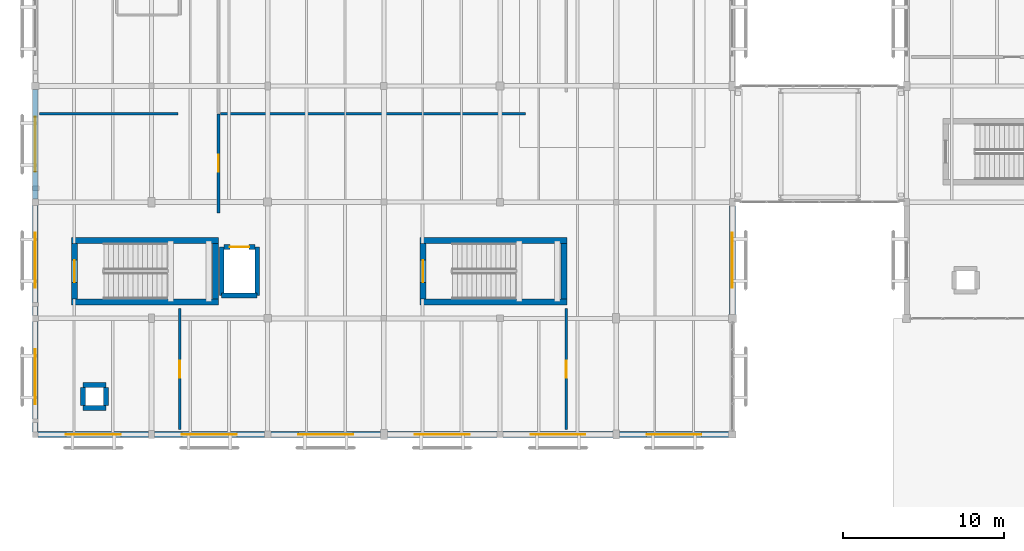
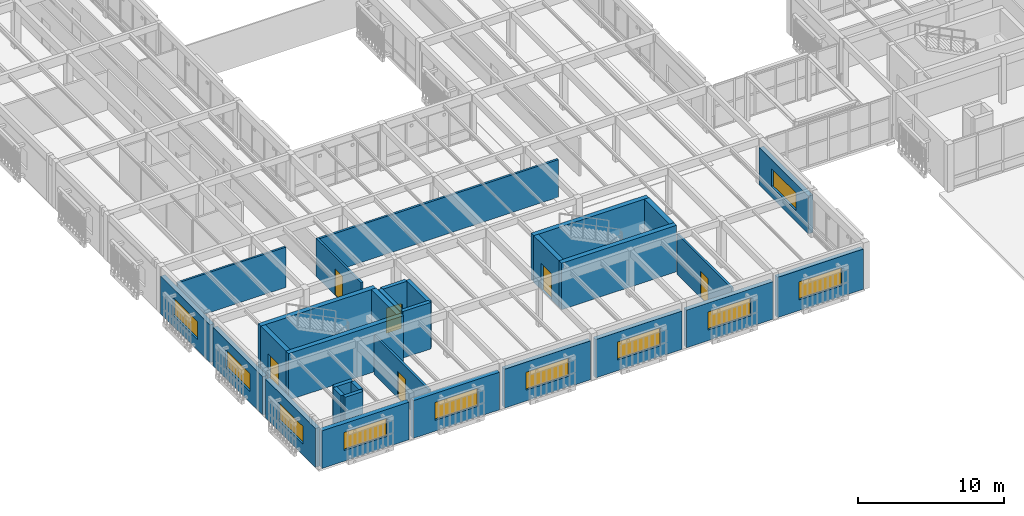
# One storey, part 175 of 217: 31 walls, 10 windows, 6 doors, 16 openings.
"""IFC4 building model written with IfcOpenShell, lengths in metres."""

from ifc_helpers import new_model, si_unit, direction, frame, frame_2d, origin, place, context, subcontext, project, spatial, rectangle, extrude, material, layer, layer_set, type_object, element, fill, save


model = new_model("IFC4")

# Units and contexts
model_context = context("Model", 3, precision=1e-05, world=origin(), true_north=direction((0.0, 1.0)))
body_context = subcontext(model_context, "Body", "Model", "MODEL_VIEW")
ifc_project = project(units=[si_unit("LENGTHUNIT", "METRE"), si_unit("AREAUNIT", "SQUARE_METRE"), si_unit("VOLUMEUNIT", "CUBIC_METRE"), si_unit("PLANEANGLEUNIT", "RADIAN"), si_unit("MASSUNIT", "GRAM", prefix="KILO")], contexts=[model_context])

# Site, building, storey
site_placement = place(None, origin())
site = spatial("IfcSite", under=ifc_project, at=site_placement, CompositionType="ELEMENT")
building_placement = place(site_placement, origin())
building = spatial("IfcBuilding", under=site, at=building_placement, Name="Mazaris Harbour Polytechnic", CompositionType="ELEMENT")
storey_placement = place(building_placement, frame((0.0, 0.0, 9.60009765625)))
storey = spatial("IfcBuildingStorey", under=building, at=storey_placement, Name="L02", CompositionType="ELEMENT", Elevation=9.60009765625)

# Wall
ifc_material_1 = material(Name="Double Gypsum and Mineral Wool")
ifc_layer_1 = layer(ifc_material_1, 0.14990234375, Name="Double Gypsum and Mineral Wool")
ifc_layer_set_1 = layer_set([ifc_layer_1], Name="Double Gypsum and Mineral Wool")
wall_type_1 = type_object("IfcWallType", Name="Classroom Acoustic Partition 150", PredefinedType="PARTITIONING", material=ifc_layer_set_1)
wall_1_placement = place(storey_placement, frame((0.25, 27.0791015625, 0.0), z_axis=(0.0, 0.0, 1.0), x_axis=(1.0, 0.0, 0.0)))
element("IfcWall", 1, at=wall_1_placement, inside=storey, type_object=wall_type_1, Name="V4 L02 Partition 380", PredefinedType="PARTITIONING", context=body_context, shape_type="SweptSolid", body=[
    extrude(rectangle(XDim=8.580078125, YDim=0.14990234375, at=frame_2d((4.2900390625, 0.0))), origin(), (0.0, 0.0, 1.0), 3.369873046875),
])

# Wall, opening, door
ifc_material_2 = material(Name="Fireboard and Mineral Wool")
ifc_layer_2 = layer(ifc_material_2, 0.1650390625, Name="Fireboard and Mineral Wool")
ifc_layer_set_2 = layer_set([ifc_layer_2], Name="Fireboard and Mineral Wool")
wall_type_2 = type_object("IfcWallType", Name="Laboratory Rated Partition 165", PredefinedType="PARTITIONING", material=ifc_layer_set_2)
wall_2_placement = place(storey_placement, frame((8.949951171875, 7.5, 0.0), z_axis=(0.0, 0.0, 1.0), x_axis=(0.0, 1.0, 0.0)))
wall_2 = element("IfcWall", 2, at=wall_2_placement, inside=storey, type_object=wall_type_2, Name="V4 L02 Partition 379", PredefinedType="PARTITIONING", context=body_context, shape_type="SweptSolid", body=[
    extrude(rectangle(XDim=7.4951171875, YDim=0.1650390625, at=frame_2d((3.74755859375, 0.0))), origin(), (0.0, 0.0, 1.0), 3.25),
])
opening_1_placement = place(wall_2_placement, frame((3.217529296875, 0.0, 0.0)))
opening_1 = element("IfcOpeningElement", 3, at=opening_1_placement, cuts=wall_2, Name="Opening ID-02R", PredefinedType="OPENING", context=body_context, shape_type="SweptSolid", body=[
    extrude(rectangle(XDim=1.06005859375, YDim=2.199951171875, at=frame_2d((0.530029296875, 1.10009765625))), frame((0.0, 0.092529296875, 0.0), z_axis=(0.0, -1.0, 0.0), x_axis=(1.0, 0.0, 0.0)), (0.0, 0.0, 1.0), 0.18505859375),
])
ifc_material_3 = material(Name="Solid Timber and Vision Panel", Category="wood")
door_type_1 = type_object("IfcDoorType", Name="Laboratory Fire Door RH 1060x2200", OperationType="SINGLE_SWING_RIGHT", PredefinedType="DOOR", material=ifc_material_3)
door_1_placement = place(opening_1_placement, origin())
door_1 = element("IfcDoor", 4, at=door_1_placement, inside=storey, type_object=door_type_1, Name="ID-0177", OperationType="SINGLE_SWING_RIGHT", OverallHeight=2.199951171875, OverallWidth=1.06005859375, PredefinedType="DOOR", context=body_context, shape_type="SweptSolid", body=[
    extrude(rectangle(XDim=1.06005859375, YDim=2.199951171875, at=frame_2d((0.530029296875, 1.10009765625))), frame((0.0, 0.02490234375, 0.0), z_axis=(0.0, -1.0, 0.0), x_axis=(1.0, 0.0, 0.0)), (0.0, 0.0, 1.0), 0.050048828125),
])
fill(opening_1, door_1)

wall_3_placement = place(storey_placement, frame((11.35009765625, 20.929931640625, 0.0), z_axis=(0.0, 0.0, 1.0), x_axis=(0.0, 1.0, 0.0)))
wall_3 = element("IfcWall", 5, at=wall_3_placement, inside=storey, type_object=wall_type_2, Name="V4 L02 Partition 386", PredefinedType="PARTITIONING", context=body_context, shape_type="SweptSolid", body=[
    extrude(rectangle(XDim=6.149169921875, YDim=0.1650390625, at=frame_2d((3.07470703125, 0.0))), origin(), (0.0, 0.0, 1.0), 3.2099609375),
])
opening_2_placement = place(wall_3_placement, frame((2.54443359375, 0.0, 0.0)))
opening_2 = element("IfcOpeningElement", 6, at=opening_2_placement, cuts=wall_3, Name="Opening ID-02R", PredefinedType="OPENING", context=body_context, shape_type="SweptSolid", body=[
    extrude(rectangle(XDim=1.06005859375, YDim=2.199951171875, at=frame_2d((0.530029296875, 1.10009765625))), frame((0.0, 0.092529296875, 0.0), z_axis=(0.0, -1.0, 0.0), x_axis=(1.0, 0.0, 0.0)), (0.0, 0.0, 1.0), 0.18505859375),
])
door_2_placement = place(opening_2_placement, origin())
door_2 = element("IfcDoor", 7, at=door_2_placement, inside=storey, type_object=door_type_1, Name="ID-0181", OperationType="SINGLE_SWING_RIGHT", OverallHeight=2.199951171875, OverallWidth=1.06005859375, PredefinedType="DOOR", context=body_context, shape_type="SweptSolid", body=[
    extrude(rectangle(XDim=1.06005859375, YDim=2.199951171875, at=frame_2d((0.530029296875, 1.10009765625))), frame((0.0, 0.02490234375, 0.0), z_axis=(0.0, -1.0, 0.0), x_axis=(1.0, 0.0, 0.0)), (0.0, 0.0, 1.0), 0.050048828125),
])
fill(opening_2, door_2)

# Wall
wall_4_placement = place(storey_placement, frame((11.469970703125, 27.0791015625, 0.0), z_axis=(0.0, 0.0, 1.0), x_axis=(1.0, 0.0, 0.0)))
element("IfcWall", 8, at=wall_4_placement, inside=storey, type_object=wall_type_2, Name="V4 L02 Partition 387", PredefinedType="PARTITIONING", context=body_context, shape_type="SweptSolid", body=[
    extrude(rectangle(XDim=18.909912109375, YDim=0.1650390625, at=frame_2d((9.455078125, 0.0))), origin(), (0.0, 0.0, 1.0), 3.14990234375),
])

# Wall, opening, door
wall_5_placement = place(storey_placement, frame((32.89990234375, 7.5, 0.0), z_axis=(0.0, 0.0, 1.0), x_axis=(0.0, 1.0, 0.0)))
wall_5 = element("IfcWall", 9, at=wall_5_placement, inside=storey, type_object=wall_type_2, Name="V4 L02 Partition 393", PredefinedType="PARTITIONING", context=body_context, shape_type="SweptSolid", body=[
    extrude(rectangle(XDim=7.4951171875, YDim=0.1650390625, at=frame_2d((3.74755859375, 0.0))), origin(), (0.0, 0.0, 1.0), 3.369873046875),
])
opening_3_placement = place(wall_5_placement, frame((3.217529296875, 0.0, 0.0)))
opening_3 = element("IfcOpeningElement", 10, at=opening_3_placement, cuts=wall_5, Name="Opening ID-02R", PredefinedType="OPENING", context=body_context, shape_type="SweptSolid", body=[
    extrude(rectangle(XDim=1.06005859375, YDim=2.199951171875, at=frame_2d((0.530029296875, 1.10009765625))), frame((0.0, 0.092529296875, 0.0), z_axis=(0.0, -1.0, 0.0), x_axis=(1.0, 0.0, 0.0)), (0.0, 0.0, 1.0), 0.18505859375),
])
door_3_placement = place(opening_3_placement, origin())
door_3 = element("IfcDoor", 11, at=door_3_placement, inside=storey, type_object=door_type_1, Name="ID-0185", OperationType="SINGLE_SWING_RIGHT", OverallHeight=2.199951171875, OverallWidth=1.06005859375, PredefinedType="DOOR", context=body_context, shape_type="SweptSolid", body=[
    extrude(rectangle(XDim=1.06005859375, YDim=2.199951171875, at=frame_2d((0.530029296875, 1.10009765625))), frame((0.0, 0.02490234375, 0.0), z_axis=(0.0, -1.0, 0.0), x_axis=(1.0, 0.0, 0.0)), (0.0, 0.0, 1.0), 0.050048828125),
])
fill(opening_3, door_3)

# Wall, opening, window
ifc_material_4 = material(Name="Algerian Buff Limestone and Concrete C30/37", Category="masonry")
ifc_layer_3 = layer(ifc_material_4, 0.360107421875, Name="Algerian Buff Limestone and Concrete C30/37")
ifc_layer_set_3 = layer_set([ifc_layer_3], Name="Algerian Buff Limestone and Concrete C30/37")
wall_type_3 = type_object("IfcWallType", Name="Limestone Ashlar Exterior Wall 360", PredefinedType="STANDARD", material=ifc_layer_set_3)
wall_6_placement = place(storey_placement, frame((7.028076171875, 7.199951171875, 0.0), z_axis=(0.0, 0.0, 1.0), x_axis=(-1.0, 0.0, 0.0)))
wall_6 = element("IfcWall", 12, at=wall_6_placement, inside=storey, type_object=wall_type_3, Name="V4 L02 Exterior Wall 187", PredefinedType="STANDARD", context=body_context, shape_type="SweptSolid", body=[
    extrude(rectangle(XDim=6.865966796875, YDim=0.360107421875, at=frame_2d((3.43310546875, 0.0))), origin(), (0.0, 0.0, 1.0), 3.14990234375),
])
opening_4_placement = place(wall_6_placement, frame((1.73291015625, 0.0, 0.89990234375)))
opening_4 = element("IfcOpeningElement", 13, at=opening_4_placement, cuts=wall_6, Name="Opening WN-16", PredefinedType="OPENING", context=body_context, shape_type="SweptSolid", body=[
    extrude(rectangle(XDim=3.39990234375, YDim=1.5, at=frame_2d((1.699951171875, 0.75))), frame((0.0, 0.18994140625, 0.0), z_axis=(0.0, -1.0, 0.0), x_axis=(1.0, 0.0, 0.0)), (0.0, 0.0, 1.0), 0.380126953125),
])
ifc_material_5 = material(Name="Thermally Broken Bronze Aluminium and Low-E Glass", Category="aluminium")
window_type = type_object("IfcWindowType", Name="Workshop Clerestory Ribbon 3400x1500", PartitioningType="DOUBLE_PANEL_VERTICAL", PredefinedType="WINDOW", material=ifc_material_5)
window_1_placement = place(opening_4_placement, origin())
window_1 = element("IfcWindow", 14, at=window_1_placement, inside=storey, type_object=window_type, Name="WN-0189", OverallHeight=1.5, OverallWidth=3.39990234375, PartitioningType="DOUBLE_PANEL_VERTICAL", PredefinedType="WINDOW", context=body_context, shape_type="SweptSolid", body=[
    extrude(rectangle(XDim=3.39990234375, YDim=1.5, at=frame_2d((1.699951171875, 0.75))), frame((0.0, 0.030029296875, 0.0), z_axis=(0.0, -1.0, 0.0), x_axis=(1.0, 0.0, 0.0)), (0.0, 0.0, 1.0), 0.06005859375),
])
fill(opening_4, window_1)

wall_7_placement = place(storey_placement, frame((14.197998046875, 7.199951171875, 0.0), z_axis=(0.0, 0.0, 1.0), x_axis=(-1.0, 0.0, 0.0)))
wall_7 = element("IfcWall", 15, at=wall_7_placement, inside=storey, type_object=wall_type_3, Name="V4 L02 Exterior Wall 188", PredefinedType="STANDARD", context=body_context, shape_type="SweptSolid", body=[
    extrude(rectangle(XDim=6.825927734375, YDim=0.360107421875, at=frame_2d((3.4130859375, 0.0))), origin(), (0.0, 0.0, 1.0), 3.14990234375),
])
opening_5_placement = place(wall_7_placement, frame((1.712890625, 0.0, 0.89990234375)))
opening_5 = element("IfcOpeningElement", 16, at=opening_5_placement, cuts=wall_7, Name="Opening WN-16", PredefinedType="OPENING", context=body_context, shape_type="SweptSolid", body=[
    extrude(rectangle(XDim=3.39990234375, YDim=1.5, at=frame_2d((1.699951171875, 0.75))), frame((0.0, 0.18994140625, 0.0), z_axis=(0.0, -1.0, 0.0), x_axis=(1.0, 0.0, 0.0)), (0.0, 0.0, 1.0), 0.380126953125),
])
window_2_placement = place(opening_5_placement, origin())
window_2 = element("IfcWindow", 17, at=window_2_placement, inside=storey, type_object=window_type, Name="WN-0190", OverallHeight=1.5, OverallWidth=3.39990234375, PartitioningType="DOUBLE_PANEL_VERTICAL", PredefinedType="WINDOW", context=body_context, shape_type="SweptSolid", body=[
    extrude(rectangle(XDim=3.39990234375, YDim=1.5, at=frame_2d((1.699951171875, 0.75))), frame((0.0, 0.030029296875, 0.0), z_axis=(0.0, -1.0, 0.0), x_axis=(1.0, 0.0, 0.0)), (0.0, 0.0, 1.0), 0.06005859375),
])
fill(opening_5, window_2)

wall_8_placement = place(storey_placement, frame((21.387939453125, 7.199951171875, 0.0), z_axis=(0.0, 0.0, 1.0), x_axis=(-1.0, 0.0, 0.0)))
wall_8 = element("IfcWall", 18, at=wall_8_placement, inside=storey, type_object=wall_type_3, Name="V4 L02 Exterior Wall 189", PredefinedType="STANDARD", context=body_context, shape_type="SweptSolid", body=[
    extrude(rectangle(XDim=6.785888671875, YDim=0.360107421875, at=frame_2d((3.39306640625, 0.0))), origin(), (0.0, 0.0, 1.0), 3.25),
])
opening_6_placement = place(wall_8_placement, frame((1.693115234375, 0.0, 0.89990234375)))
opening_6 = element("IfcOpeningElement", 19, at=opening_6_placement, cuts=wall_8, Name="Opening WN-16", PredefinedType="OPENING", context=body_context, shape_type="SweptSolid", body=[
    extrude(rectangle(XDim=3.39990234375, YDim=1.5, at=frame_2d((1.699951171875, 0.75))), frame((0.0, 0.18994140625, 0.0), z_axis=(0.0, -1.0, 0.0), x_axis=(1.0, 0.0, 0.0)), (0.0, 0.0, 1.0), 0.380126953125),
])
window_3_placement = place(opening_6_placement, origin())
window_3 = element("IfcWindow", 20, at=window_3_placement, inside=storey, type_object=window_type, Name="WN-0191", OverallHeight=1.5, OverallWidth=3.39990234375, PartitioningType="DOUBLE_PANEL_VERTICAL", PredefinedType="WINDOW", context=body_context, shape_type="SweptSolid", body=[
    extrude(rectangle(XDim=3.39990234375, YDim=1.5, at=frame_2d((1.699951171875, 0.75))), frame((0.0, 0.030029296875, 0.0), z_axis=(0.0, -1.0, 0.0), x_axis=(1.0, 0.0, 0.0)), (0.0, 0.0, 1.0), 0.06005859375),
])
fill(opening_6, window_3)

wall_9_placement = place(storey_placement, frame((28.617919921875, 7.199951171875, 0.0), z_axis=(0.0, 0.0, 1.0), x_axis=(-1.0, 0.0, 0.0)))
wall_9 = element("IfcWall", 21, at=wall_9_placement, inside=storey, type_object=wall_type_3, Name="V4 L02 Exterior Wall 190", PredefinedType="STANDARD", context=body_context, shape_type="SweptSolid", body=[
    extrude(rectangle(XDim=6.805908203125, YDim=0.360107421875, at=frame_2d((3.40283203125, 0.0))), origin(), (0.0, 0.0, 1.0), 3.2099609375),
])
opening_7_placement = place(wall_9_placement, frame((1.702880859375, 0.0, 0.89990234375)))
opening_7 = element("IfcOpeningElement", 22, at=opening_7_placement, cuts=wall_9, Name="Opening WN-16", PredefinedType="OPENING", context=body_context, shape_type="SweptSolid", body=[
    extrude(rectangle(XDim=3.39990234375, YDim=1.5, at=frame_2d((1.699951171875, 0.75))), frame((0.0, 0.18994140625, 0.0), z_axis=(0.0, -1.0, 0.0), x_axis=(1.0, 0.0, 0.0)), (0.0, 0.0, 1.0), 0.380126953125),
])
window_4_placement = place(opening_7_placement, origin())
window_4 = element("IfcWindow", 23, at=window_4_placement, inside=storey, type_object=window_type, Name="WN-0192", OverallHeight=1.5, OverallWidth=3.39990234375, PartitioningType="DOUBLE_PANEL_VERTICAL", PredefinedType="WINDOW", context=body_context, shape_type="SweptSolid", body=[
    extrude(rectangle(XDim=3.39990234375, YDim=1.5, at=frame_2d((1.699951171875, 0.75))), frame((0.0, 0.030029296875, 0.0), z_axis=(0.0, -1.0, 0.0), x_axis=(1.0, 0.0, 0.0)), (0.0, 0.0, 1.0), 0.06005859375),
])
fill(opening_7, window_4)

wall_10_placement = place(storey_placement, frame((35.80810546875, 7.199951171875, 0.0), z_axis=(0.0, 0.0, 1.0), x_axis=(-1.0, 0.0, 0.0)))
wall_10 = element("IfcWall", 24, at=wall_10_placement, inside=storey, type_object=wall_type_3, Name="V4 L02 Exterior Wall 191", PredefinedType="STANDARD", context=body_context, shape_type="SweptSolid", body=[
    extrude(rectangle(XDim=6.826171875, YDim=0.360107421875, at=frame_2d((3.4130859375, 0.0))), origin(), (0.0, 0.0, 1.0), 3.14990234375),
])
opening_8_placement = place(wall_10_placement, frame((1.712890625, 0.0, 0.89990234375)))
opening_8 = element("IfcOpeningElement", 25, at=opening_8_placement, cuts=wall_10, Name="Opening WN-16", PredefinedType="OPENING", context=body_context, shape_type="SweptSolid", body=[
    extrude(rectangle(XDim=3.39990234375, YDim=1.5, at=frame_2d((1.699951171875, 0.75))), frame((0.0, 0.18994140625, 0.0), z_axis=(0.0, -1.0, 0.0), x_axis=(1.0, 0.0, 0.0)), (0.0, 0.0, 1.0), 0.380126953125),
])
window_5_placement = place(opening_8_placement, origin())
window_5 = element("IfcWindow", 26, at=window_5_placement, inside=storey, type_object=window_type, Name="WN-0193", OverallHeight=1.5, OverallWidth=3.39990234375, PartitioningType="DOUBLE_PANEL_VERTICAL", PredefinedType="WINDOW", context=body_context, shape_type="SweptSolid", body=[
    extrude(rectangle(XDim=3.39990234375, YDim=1.5, at=frame_2d((1.699951171875, 0.75))), frame((0.0, 0.030029296875, 0.0), z_axis=(0.0, -1.0, 0.0), x_axis=(1.0, 0.0, 0.0)), (0.0, 0.0, 1.0), 0.06005859375),
])
fill(opening_8, window_5)

wall_11_placement = place(storey_placement, frame((42.97802734375, 7.199951171875, 0.0), z_axis=(0.0, 0.0, 1.0), x_axis=(-1.0, 0.0, 0.0)))
wall_11 = element("IfcWall", 27, at=wall_11_placement, inside=storey, type_object=wall_type_3, Name="V4 L02 Exterior Wall 192", PredefinedType="STANDARD", context=body_context, shape_type="SweptSolid", body=[
    extrude(rectangle(XDim=6.7861328125, YDim=0.360107421875, at=frame_2d((3.39306640625, 0.0))), origin(), (0.0, 0.0, 1.0), 3.369873046875),
])
opening_9_placement = place(wall_11_placement, frame((1.693115234375, 0.0, 0.89990234375)))
opening_9 = element("IfcOpeningElement", 28, at=opening_9_placement, cuts=wall_11, Name="Opening WN-16", PredefinedType="OPENING", context=body_context, shape_type="SweptSolid", body=[
    extrude(rectangle(XDim=3.39990234375, YDim=1.5, at=frame_2d((1.699951171875, 0.75))), frame((0.0, 0.18994140625, 0.0), z_axis=(0.0, -1.0, 0.0), x_axis=(1.0, 0.0, 0.0)), (0.0, 0.0, 1.0), 0.380126953125),
])
window_6_placement = place(opening_9_placement, origin())
window_6 = element("IfcWindow", 29, at=window_6_placement, inside=storey, type_object=window_type, Name="WN-0194", OverallHeight=1.5, OverallWidth=3.39990234375, PartitioningType="DOUBLE_PANEL_VERTICAL", PredefinedType="WINDOW", context=body_context, shape_type="SweptSolid", body=[
    extrude(rectangle(XDim=3.39990234375, YDim=1.5, at=frame_2d((1.699951171875, 0.75))), frame((0.0, 0.030029296875, 0.0), z_axis=(0.0, -1.0, 0.0), x_axis=(1.0, 0.0, 0.0)), (0.0, 0.0, 1.0), 0.06005859375),
])
fill(opening_9, window_6)

wall_12_placement = place(storey_placement, frame((0.0, 7.362060546875, 0.0), z_axis=(0.0, 0.0, 1.0), x_axis=(0.0, 1.0, 0.0)))
wall_12 = element("IfcWall", 30, at=wall_12_placement, inside=storey, type_object=wall_type_3, Name="V4 L02 Exterior Wall 199", PredefinedType="STANDARD", context=body_context, shape_type="SweptSolid", body=[
    extrude(rectangle(XDim=6.85595703125, YDim=0.360107421875, at=frame_2d((3.427978515625, 0.0))), origin(), (0.0, 0.0, 1.0), 3.25),
])
opening_10_placement = place(wall_12_placement, frame((1.72802734375, 0.0, 0.89990234375)))
opening_10 = element("IfcOpeningElement", 31, at=opening_10_placement, cuts=wall_12, Name="Opening WN-16", PredefinedType="OPENING", context=body_context, shape_type="SweptSolid", body=[
    extrude(rectangle(XDim=3.39990234375, YDim=1.5, at=frame_2d((1.699951171875, 0.75))), frame((0.0, 0.18994140625, 0.0), z_axis=(0.0, -1.0, 0.0), x_axis=(1.0, 0.0, 0.0)), (0.0, 0.0, 1.0), 0.380126953125),
])
window_7_placement = place(opening_10_placement, origin())
window_7 = element("IfcWindow", 32, at=window_7_placement, inside=storey, type_object=window_type, Name="WN-0201", OverallHeight=1.5, OverallWidth=3.39990234375, PartitioningType="DOUBLE_PANEL_VERTICAL", PredefinedType="WINDOW", context=body_context, shape_type="SweptSolid", body=[
    extrude(rectangle(XDim=3.39990234375, YDim=1.5, at=frame_2d((1.699951171875, 0.75))), frame((0.0, 0.030029296875, 0.0), z_axis=(0.0, -1.0, 0.0), x_axis=(1.0, 0.0, 0.0)), (0.0, 0.0, 1.0), 0.06005859375),
])
fill(opening_10, window_7)

wall_13_placement = place(storey_placement, frame((0.0, 14.58203125, 0.0), z_axis=(0.0, 0.0, 1.0), x_axis=(0.0, 1.0, 0.0)))
wall_13 = element("IfcWall", 33, at=wall_13_placement, inside=storey, type_object=wall_type_3, Name="V4 L02 Exterior Wall 200", PredefinedType="STANDARD", context=body_context, shape_type="SweptSolid", body=[
    extrude(rectangle(XDim=6.81591796875, YDim=0.360107421875, at=frame_2d((3.407958984375, 0.0))), origin(), (0.0, 0.0, 1.0), 3.2099609375),
])
opening_11_placement = place(wall_13_placement, frame((1.7080078125, 0.0, 0.89990234375)))
opening_11 = element("IfcOpeningElement", 34, at=opening_11_placement, cuts=wall_13, Name="Opening WN-16", PredefinedType="OPENING", context=body_context, shape_type="SweptSolid", body=[
    extrude(rectangle(XDim=3.39990234375, YDim=1.5, at=frame_2d((1.699951171875, 0.75))), frame((0.0, 0.18994140625, 0.0), z_axis=(0.0, -1.0, 0.0), x_axis=(1.0, 0.0, 0.0)), (0.0, 0.0, 1.0), 0.380126953125),
])
window_8_placement = place(opening_11_placement, origin())
window_8 = element("IfcWindow", 35, at=window_8_placement, inside=storey, type_object=window_type, Name="WN-0202", OverallHeight=1.5, OverallWidth=3.39990234375, PartitioningType="DOUBLE_PANEL_VERTICAL", PredefinedType="WINDOW", context=body_context, shape_type="SweptSolid", body=[
    extrude(rectangle(XDim=3.39990234375, YDim=1.5, at=frame_2d((1.699951171875, 0.75))), frame((0.0, 0.030029296875, 0.0), z_axis=(0.0, -1.0, 0.0), x_axis=(1.0, 0.0, 0.0)), (0.0, 0.0, 1.0), 0.06005859375),
])
fill(opening_11, window_8)

wall_14_placement = place(storey_placement, frame((0.0, 21.802001953125, 0.0), z_axis=(0.0, 0.0, 1.0), x_axis=(0.0, 1.0, 0.0)))
wall_14 = element("IfcWall", 36, at=wall_14_placement, inside=storey, type_object=wall_type_3, Name="V4 L02 Exterior Wall 201", PredefinedType="STANDARD", context=body_context, shape_type="SweptSolid", body=[
    extrude(rectangle(XDim=6.77587890625, YDim=0.360107421875, at=frame_2d((3.387939453125, 0.0))), origin(), (0.0, 0.0, 1.0), 3.14990234375),
])
opening_12_placement = place(wall_14_placement, frame((1.68798828125, 0.0, 0.89990234375)))
opening_12 = element("IfcOpeningElement", 37, at=opening_12_placement, cuts=wall_14, Name="Opening WN-16", PredefinedType="OPENING", context=body_context, shape_type="SweptSolid", body=[
    extrude(rectangle(XDim=3.39990234375, YDim=1.5, at=frame_2d((1.699951171875, 0.75))), frame((0.0, 0.18994140625, 0.0), z_axis=(0.0, -1.0, 0.0), x_axis=(1.0, 0.0, 0.0)), (0.0, 0.0, 1.0), 0.380126953125),
])
window_9_placement = place(opening_12_placement, origin())
window_9 = element("IfcWindow", 38, at=window_9_placement, inside=storey, type_object=window_type, Name="WN-0203", OverallHeight=1.5, OverallWidth=3.39990234375, PartitioningType="DOUBLE_PANEL_VERTICAL", PredefinedType="WINDOW", context=body_context, shape_type="SweptSolid", body=[
    extrude(rectangle(XDim=3.39990234375, YDim=1.5, at=frame_2d((1.699951171875, 0.75))), frame((0.0, 0.030029296875, 0.0), z_axis=(0.0, -1.0, 0.0), x_axis=(1.0, 0.0, 0.0)), (0.0, 0.0, 1.0), 0.06005859375),
])
fill(opening_12, window_9)

wall_15_placement = place(storey_placement, frame((43.199951171875, 21.367919921875, 0.0), z_axis=(0.0, 0.0, 1.0), x_axis=(0.0, -1.0, 0.0)))
wall_15 = element("IfcWall", 39, at=wall_15_placement, inside=storey, type_object=wall_type_3, Name="V4 L02 Exterior Wall 211", PredefinedType="STANDARD", context=body_context, shape_type="SweptSolid", body=[
    extrude(rectangle(XDim=6.725830078125, YDim=0.360107421875, at=frame_2d((3.36279296875, 0.0))), origin(), (0.0, 0.0, 1.0), 3.14990234375),
])
opening_13_placement = place(wall_15_placement, frame((1.6630859375, 0.0, 0.89990234375)))
opening_13 = element("IfcOpeningElement", 40, at=opening_13_placement, cuts=wall_15, Name="Opening WN-16", PredefinedType="OPENING", context=body_context, shape_type="SweptSolid", body=[
    extrude(rectangle(XDim=3.39990234375, YDim=1.5, at=frame_2d((1.699951171875, 0.75))), frame((0.0, 0.18994140625, 0.0), z_axis=(0.0, -1.0, 0.0), x_axis=(1.0, 0.0, 0.0)), (0.0, 0.0, 1.0), 0.380126953125),
])
window_10_placement = place(opening_13_placement, origin())
window_10 = element("IfcWindow", 41, at=window_10_placement, inside=storey, type_object=window_type, Name="WN-0213", OverallHeight=1.5, OverallWidth=3.39990234375, PartitioningType="DOUBLE_PANEL_VERTICAL", PredefinedType="WINDOW", context=body_context, shape_type="SweptSolid", body=[
    extrude(rectangle(XDim=3.39990234375, YDim=1.5, at=frame_2d((1.699951171875, 0.75))), frame((0.0, 0.030029296875, 0.0), z_axis=(0.0, -1.0, 0.0), x_axis=(1.0, 0.0, 0.0)), (0.0, 0.0, 1.0), 0.06005859375),
])
fill(opening_13, window_10)

# Walls
ifc_material_6 = material(Name="Concrete C40/50", Category="concrete")
ifc_layer_4 = layer(ifc_material_6, 0.375, Name="Concrete C40/50")
ifc_layer_set_4 = layer_set([ifc_layer_4], Name="Concrete C40/50")
wall_type_4 = type_object("IfcWallType", Name="RC Core Shear Wall 375", PredefinedType="SHEAR", material=ifc_layer_set_4)
for number, where, z_axis, x_axis, name in (
    (42, (2.25, 15.425048828125, 0.0), (0.0, 0.0, 1.0), (1.0, 0.0, 0.0), "Core ST07 L02 Shear Wall S"),
    (43, (11.35009765625, 19.22509765625, 0.0), (0.0, 0.0, 1.0), (-1.0, 0.0, 0.0), "Core ST07 L02 Shear Wall N"),
):
    element("IfcWall", number, at=place(storey_placement, frame(where, z_axis=z_axis, x_axis=x_axis)), inside=storey, type_object=wall_type_4, Name=name, PredefinedType="SHEAR", context=body_context, shape_type="SweptSolid", body=[
        extrude(rectangle(XDim=9.10009765625, YDim=0.375, at=frame_2d((4.550048828125, 0.0))), origin(), (0.0, 0.0, 1.0), 3.889892578125),
    ])
wall_16_placement = place(storey_placement, frame((11.175048828125, 15.60009765625, 0.0), z_axis=(0.0, 0.0, 1.0), x_axis=(0.0, 1.0, 0.0)))
element("IfcWall", 44, at=wall_16_placement, inside=storey, type_object=wall_type_4, Name="Core ST07 L02 Shear Wall E", PredefinedType="SHEAR", context=body_context, shape_type="SweptSolid", body=[
    extrude(rectangle(XDim=3.449951171875, YDim=0.375, at=frame_2d((1.72509765625, 0.0))), origin(), (0.0, 0.0, 1.0), 3.889892578125),
])
for number, where, z_axis, x_axis, name in (
    (45, (23.85009765625, 15.425048828125, 0.0), (0.0, 0.0, 1.0), (1.0, 0.0, 0.0), "Core ST08 L02 Shear Wall S"),
    (46, (32.949951171875, 19.22509765625, 0.0), (0.0, 0.0, 1.0), (-1.0, 0.0, 0.0), "Core ST08 L02 Shear Wall N"),
):
    element("IfcWall", number, at=place(storey_placement, frame(where, z_axis=z_axis, x_axis=x_axis)), inside=storey, type_object=wall_type_4, Name=name, PredefinedType="SHEAR", context=body_context, shape_type="SweptSolid", body=[
        extrude(rectangle(XDim=9.099853515625, YDim=0.375, at=frame_2d((4.5498046875, 0.0))), origin(), (0.0, 0.0, 1.0), 3.889892578125),
    ])
wall_17_placement = place(storey_placement, frame((32.77490234375, 15.60009765625, 0.0), z_axis=(0.0, 0.0, 1.0), x_axis=(0.0, 1.0, 0.0)))
element("IfcWall", 47, at=wall_17_placement, inside=storey, type_object=wall_type_4, Name="Core ST08 L02 Shear Wall E", PredefinedType="SHEAR", context=body_context, shape_type="SweptSolid", body=[
    extrude(rectangle(XDim=3.449951171875, YDim=0.375, at=frame_2d((1.72509765625, 0.0))), origin(), (0.0, 0.0, 1.0), 3.889892578125),
])

# Wall, opening, door
wall_18_placement = place(storey_placement, frame((2.425048828125, 19.050048828125, 0.0), z_axis=(0.0, 0.0, 1.0), x_axis=(0.0, -1.0, 0.0)))
wall_18 = element("IfcWall", 48, at=wall_18_placement, inside=storey, type_object=wall_type_4, Name="Core ST07 L02 Entrance Shear Wall", PredefinedType="SHEAR", context=body_context, shape_type="SweptSolid", body=[
    extrude(rectangle(XDim=3.449951171875, YDim=0.375, at=frame_2d((1.72509765625, 0.0))), origin(), (0.0, 0.0, 1.0), 3.889892578125),
])
opening_14_placement = place(wall_18_placement, frame((1.034912109375, 0.0, 0.0)))
opening_14 = element("IfcOpeningElement", 49, at=opening_14_placement, cuts=wall_18, Name="Opening SD-01", PredefinedType="OPENING", context=body_context, shape_type="SweptSolid", body=[
    extrude(rectangle(XDim=1.3798828125, YDim=2.199951171875, at=frame_2d((0.68994140625, 1.10009765625))), frame((0.0, 0.197509765625, 0.0), z_axis=(0.0, -1.0, 0.0), x_axis=(1.0, 0.0, 0.0)), (0.0, 0.0, 1.0), 0.39501953125),
])
ifc_material_7 = material(Name="Glulam Timber and Fire Glass", Category="wood")
door_type_2 = type_object("IfcDoorType", Name="Protected Stair Lobby Fire Door 1380x2200", OperationType="DOUBLE_DOOR_SINGLE_SWING", PredefinedType="DOOR", material=ifc_material_7)
door_4_placement = place(opening_14_placement, origin())
door_4 = element("IfcDoor", 50, at=door_4_placement, inside=storey, type_object=door_type_2, Name="SD-031", OperationType="DOUBLE_DOOR_SINGLE_SWING", OverallHeight=2.199951171875, OverallWidth=1.3798828125, PredefinedType="DOOR", context=body_context, shape_type="SweptSolid", body=[
    extrude(rectangle(XDim=1.3798828125, YDim=2.199951171875, at=frame_2d((0.68994140625, 1.10009765625))), frame((0.0, 0.02490234375, 0.0), z_axis=(0.0, -1.0, 0.0), x_axis=(1.0, 0.0, 0.0)), (0.0, 0.0, 1.0), 0.050048828125),
])
fill(opening_14, door_4)

wall_19_placement = place(storey_placement, frame((24.02490234375, 19.050048828125, 0.0), z_axis=(0.0, 0.0, 1.0), x_axis=(0.0, -1.0, 0.0)))
wall_19 = element("IfcWall", 51, at=wall_19_placement, inside=storey, type_object=wall_type_4, Name="Core ST08 L02 Entrance Shear Wall", PredefinedType="SHEAR", context=body_context, shape_type="SweptSolid", body=[
    extrude(rectangle(XDim=3.449951171875, YDim=0.375, at=frame_2d((1.72509765625, 0.0))), origin(), (0.0, 0.0, 1.0), 3.889892578125),
])
opening_15_placement = place(wall_19_placement, frame((1.034912109375, 0.0, 0.0)))
opening_15 = element("IfcOpeningElement", 52, at=opening_15_placement, cuts=wall_19, Name="Opening SD-01", PredefinedType="OPENING", context=body_context, shape_type="SweptSolid", body=[
    extrude(rectangle(XDim=1.3798828125, YDim=2.199951171875, at=frame_2d((0.68994140625, 1.10009765625))), frame((0.0, 0.197509765625, 0.0), z_axis=(0.0, -1.0, 0.0), x_axis=(1.0, 0.0, 0.0)), (0.0, 0.0, 1.0), 0.39501953125),
])
door_5_placement = place(opening_15_placement, origin())
door_5 = element("IfcDoor", 53, at=door_5_placement, inside=storey, type_object=door_type_2, Name="SD-038", OperationType="DOUBLE_DOOR_SINGLE_SWING", OverallHeight=2.199951171875, OverallWidth=1.3798828125, PredefinedType="DOOR", context=body_context, shape_type="SweptSolid", body=[
    extrude(rectangle(XDim=1.3798828125, YDim=2.199951171875, at=frame_2d((0.68994140625, 1.10009765625))), frame((0.0, 0.02490234375, 0.0), z_axis=(0.0, -1.0, 0.0), x_axis=(1.0, 0.0, 0.0)), (0.0, 0.0, 1.0), 0.050048828125),
])
fill(opening_15, door_5)

# Walls
ifc_material_8 = material(Name="Concrete C40/50", Category="concrete")
ifc_layer_5 = layer(ifc_material_8, 0.300048828125, Name="Concrete C40/50")
ifc_layer_set_5 = layer_set([ifc_layer_5], Name="Concrete C40/50")
wall_type_5 = type_object("IfcWallType", Name="RC Lift Shaft Wall 300", PredefinedType="SHEAR", material=ifc_layer_set_5)
wall_20_placement = place(storey_placement, frame((2.949951171875, 8.85009765625, 0.0), z_axis=(0.0, 0.0, 1.0), x_axis=(1.0, 0.0, 0.0)))
element("IfcWall", 54, at=wall_20_placement, inside=storey, type_object=wall_type_5, Name="V4 L02 Riser Enclosure Wall 1-1", PredefinedType="SHEAR", context=body_context, shape_type="SweptSolid", body=[
    extrude(rectangle(XDim=1.420166015625, YDim=0.300048828125, at=frame_2d((0.7099609375, 0.0))), origin(), (0.0, 0.0, 1.0), 3.9599609375),
])
wall_21_placement = place(storey_placement, frame((4.3701171875, 9.010009765625, 0.0), z_axis=(0.0, 0.0, 1.0), x_axis=(0.0, 1.0, 0.0)))
element("IfcWall", 55, at=wall_21_placement, inside=storey, type_object=wall_type_5, Name="V4 L02 Riser Enclosure Wall 1-2", PredefinedType="SHEAR", context=body_context, shape_type="SweptSolid", body=[
    extrude(rectangle(XDim=1.10009765625, YDim=0.300048828125, at=frame_2d((0.550048828125, 0.0))), origin(), (0.0, 0.0, 1.0), 3.9599609375),
])
wall_22_placement = place(storey_placement, frame((4.3701171875, 10.27001953125, 0.0), z_axis=(0.0, 0.0, 1.0), x_axis=(-1.0, 0.0, 0.0)))
element("IfcWall", 56, at=wall_22_placement, inside=storey, type_object=wall_type_5, Name="V4 L02 Riser Enclosure Wall 1-3", PredefinedType="SHEAR", context=body_context, shape_type="SweptSolid", body=[
    extrude(rectangle(XDim=1.420166015625, YDim=0.300048828125, at=frame_2d((0.7099609375, 0.0))), origin(), (0.0, 0.0, 1.0), 3.9599609375),
])
wall_23_placement = place(storey_placement, frame((2.949951171875, 10.110107421875, 0.0), z_axis=(0.0, 0.0, 1.0), x_axis=(0.0, -1.0, 0.0)))
element("IfcWall", 57, at=wall_23_placement, inside=storey, type_object=wall_type_5, Name="V4 L02 Riser Enclosure Wall 1-4", PredefinedType="SHEAR", context=body_context, shape_type="SweptSolid", body=[
    extrude(rectangle(XDim=1.10009765625, YDim=0.300048828125, at=frame_2d((0.550048828125, 0.0))), origin(), (0.0, 0.0, 1.0), 3.9599609375),
])
wall_24_placement = place(storey_placement, frame((11.550048828125, 15.824951171875, 0.0), z_axis=(0.0, 0.0, 1.0), x_axis=(1.0, 0.0, 0.0)))
element("IfcWall", 58, at=wall_24_placement, inside=storey, type_object=wall_type_5, Name="Lift LF-01 L02 South Shaft Wall", PredefinedType="SHEAR", context=body_context, shape_type="SweptSolid", body=[
    extrude(rectangle(XDim=2.199951171875, YDim=0.300048828125, at=frame_2d((1.10009765625, 0.0))), origin(), (0.0, 0.0, 1.0), 3.889892578125),
])
for number, where, z_axis, x_axis, name in (
    (59, (11.550048828125, 18.824951171875, 0.0), (0.0, 0.0, 1.0), (0.0, -1.0, 0.0), "Lift LF-01 L02 West Shaft Wall"),
    (60, (13.75, 15.824951171875, 0.0), (0.0, 0.0, 1.0), (0.0, 1.0, 0.0), "Lift LF-01 L02 East Shaft Wall"),
):
    element("IfcWall", number, at=place(storey_placement, frame(where, z_axis=z_axis, x_axis=x_axis)), inside=storey, type_object=wall_type_5, Name=name, PredefinedType="SHEAR", context=body_context, shape_type="SweptSolid", body=[
        extrude(rectangle(XDim=3.0, YDim=0.300048828125, at=frame_2d((1.5, 0.0))), origin(), (0.0, 0.0, 1.0), 3.889892578125),
    ])

# Wall, opening, door
wall_25_placement = place(storey_placement, frame((11.68994140625, 18.824951171875, 0.0), z_axis=(0.0, 0.0, 1.0), x_axis=(1.0, 0.0, 0.0)))
wall_25 = element("IfcWall", 61, at=wall_25_placement, inside=storey, type_object=wall_type_5, Name="Lift LF-01 L02 Front Shaft Wall", PredefinedType="SHEAR", context=body_context, shape_type="SweptSolid", body=[
    extrude(rectangle(XDim=1.920166015625, YDim=0.300048828125, at=frame_2d((0.9599609375, 0.0))), origin(), (0.0, 0.0, 1.0), 3.889892578125),
])
opening_16_placement = place(wall_25_placement, frame((0.360107421875, 0.0, 0.0)))
opening_16 = element("IfcOpeningElement", 62, at=opening_16_placement, cuts=wall_25, Name="Opening LD-02", PredefinedType="OPENING", context=body_context, shape_type="SweptSolid", body=[
    extrude(rectangle(XDim=1.199951171875, YDim=2.10009765625, at=frame_2d((0.60009765625, 1.050048828125))), frame((0.0, 0.159912109375, 0.0), z_axis=(0.0, -1.0, 0.0), x_axis=(1.0, 0.0, 0.0)), (0.0, 0.0, 1.0), 0.320068359375),
])
ifc_material_9 = material(Name="Stainless Steel S355", Category="steel")
door_type_3 = type_object("IfcDoorType", Name="Sliding Firefighting Lift Landing Door 1200x2100", OperationType="SLIDING_TO_LEFT", PredefinedType="DOOR", material=ifc_material_9)
door_6_placement = place(opening_16_placement, origin())
door_6 = element("IfcDoor", 63, at=door_6_placement, inside=storey, type_object=door_type_3, Name="LD-004", OperationType="SLIDING_TO_LEFT", OverallHeight=2.10009765625, OverallWidth=1.199951171875, PredefinedType="DOOR", context=body_context, shape_type="SweptSolid", body=[
    extrude(rectangle(XDim=1.199951171875, YDim=2.10009765625, at=frame_2d((0.60009765625, 1.050048828125))), frame((0.0, 0.02490234375, 0.0), z_axis=(0.0, -1.0, 0.0), x_axis=(1.0, 0.0, 0.0)), (0.0, 0.0, 1.0), 0.050048828125),
])
fill(opening_16, door_6)

save(model, "model.ifc")
